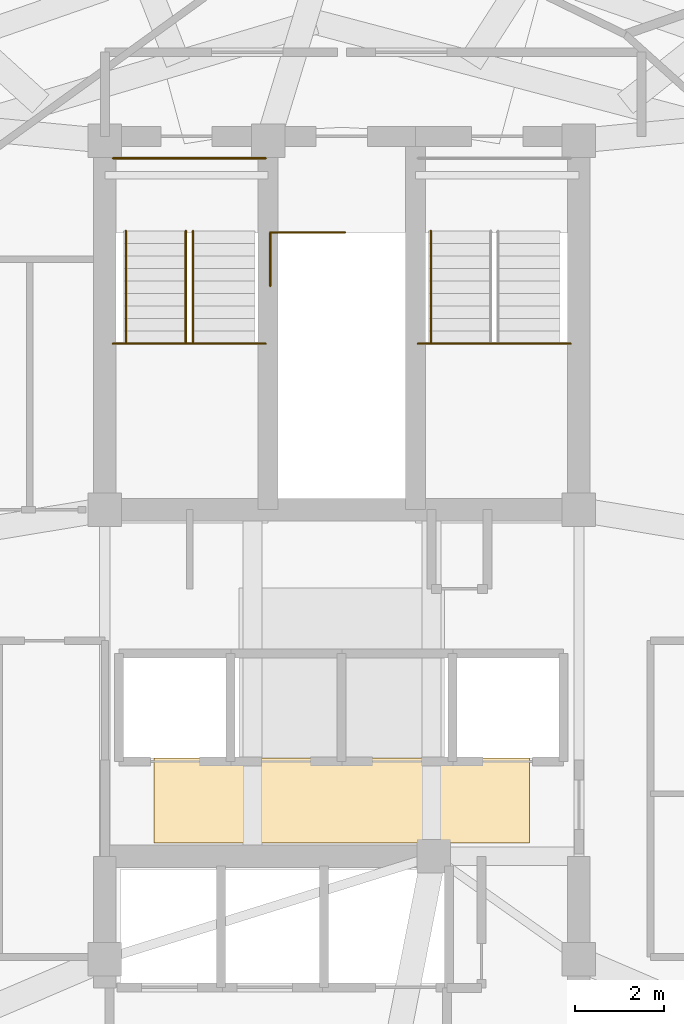
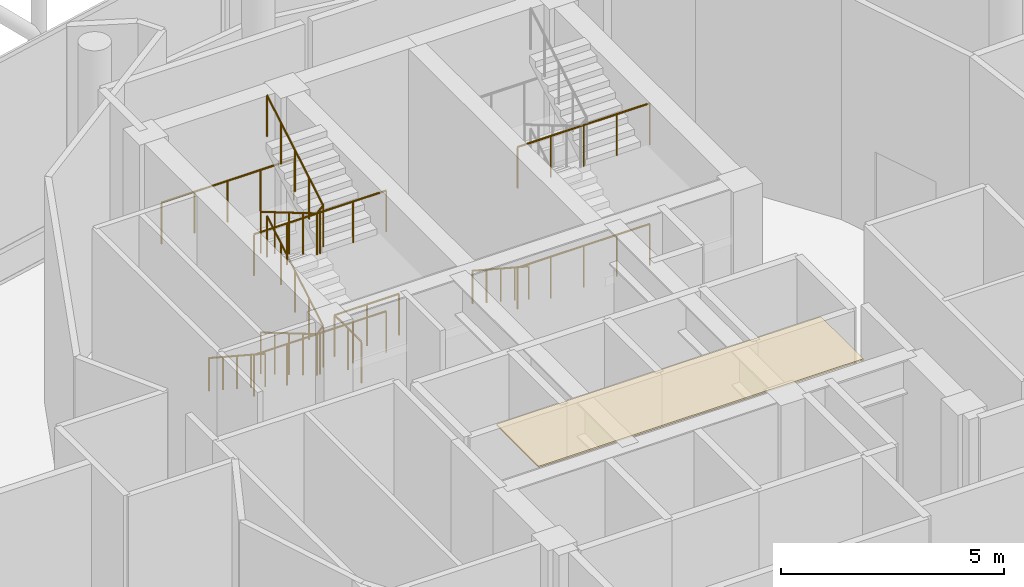
# One storey, part 25 of 26: 10 railings, 1 covering.
"""IFC4 building model written with IfcOpenShell, lengths in metres."""

from ifc_helpers import new_model, si_unit, direction, frame, origin, place, context, subcontext, project, spatial, polyline, outline, extrude, material, layer, layer_set, type_object, element, save


model = new_model("IFC4")

# Units and contexts
model_context = context("Model", 3, precision=1e-05, world=origin(), true_north=direction((0.0, 1.0)))
body_context = subcontext(model_context, "Body", "Model", "MODEL_VIEW")
ifc_project = project(units=[si_unit("LENGTHUNIT", "METRE"), si_unit("AREAUNIT", "SQUARE_METRE"), si_unit("VOLUMEUNIT", "CUBIC_METRE"), si_unit("PLANEANGLEUNIT", "RADIAN"), si_unit("MASSUNIT", "GRAM", prefix="KILO")], contexts=[model_context])

# Site, building, storey
site_placement = place(None, origin())
site = spatial("IfcSite", under=ifc_project, at=site_placement, CompositionType="ELEMENT")
building_placement = place(site_placement, origin())
building = spatial("IfcBuilding", under=site, at=building_placement, Name="Nuhasar Tower", CompositionType="ELEMENT")
storey_placement = place(building_placement, frame((0.0, 0.0, 306.800048828125)))
storey = spatial("IfcBuildingStorey", under=building, at=storey_placement, Name="L76", CompositionType="ELEMENT", Elevation=306.800048828125)

# Covering
ifc_material_1 = material(Name="Mineral Fibre Acoustic", Category="insulation")
ifc_layer = layer(ifc_material_1, 0.0400390625)
ifc_layer_set = layer_set([ifc_layer], Name="Mineral Fibre Acoustic")
covering_type = type_object("IfcCoveringType", Name="COV-CEIL-AC60", PredefinedType="CEILING", material=ifc_layer_set)
covering_placement = place(storey_placement, frame((0.0, 0.0, 6.139892578125)))
element("IfcCovering", 1, at=covering_placement, inside=storey, type_object=covering_type, Name="L76 Lift Lobby Acoustic Ceiling", PredefinedType="CEILING", context=body_context, shape_type="SweptSolid", body=[
    extrude(outline(polyline([(34.800048828125, 21.60009765625), (43.199951171875, 21.60009765625), (43.199951171875, 23.5), (34.800048828125, 23.5), (34.800048828125, 21.60009765625)])), origin(), (0.0, 0.0, 1.0), 0.0400390625),
])

# Railings
ifc_material_2 = material(Name="Steel S355", Category="steel")
railing_type_1 = type_object("IfcRailingType", Name="RLG-STAIR-GUARD-1150", PredefinedType="GUARDRAIL", material=ifc_material_2)
railing_1_placement = place(storey_placement, frame((33.8798828125, 32.764892578125, 1.64990234375)))
element("IfcRailing", 2, at=railing_1_placement, inside=storey, type_object=railing_type_1, Name="L76 Stair ST-01 Guardrail LNDS1", PredefinedType="GUARDRAIL", context=body_context, shape_type="SweptSolid", body=[
    extrude(outline(polyline([(0.024169921875, 0.0), (0.01708984375, 0.01708984375), (0.0, 0.024169921875), (-0.01708984375, 0.01708984375), (-0.024169921875, 0.0), (-0.01708984375, -0.01708984375), (0.0, -0.024169921875), (0.01708984375, -0.01708984375), (0.024169921875, 0.0)])), frame((0.0, 0.0, 1.1259765625), z_axis=(1.0, 0.0, 0.0), x_axis=(0.0, 1.0, 0.0)), (0.0, 0.0, 1.0), 3.420166015625),
    extrude(outline(polyline([(0.02099609375, 0.0), (0.014892578125, 0.014892578125), (0.0, 0.02099609375), (-0.014892578125, 0.014892578125), (-0.02099609375, 0.0), (-0.014892578125, -0.014892578125), (0.0, -0.02099609375), (0.014892578125, -0.014892578125), (0.02099609375, 0.0)])), origin(), (0.0, 0.0, 1.0), 1.101806640625),
    extrude(outline(polyline([(0.02099609375, 0.0), (0.014892578125, 0.014892578125), (0.0, 0.02099609375), (-0.014892578125, 0.014892578125), (-0.02099609375, 0.0), (-0.014892578125, -0.014892578125), (0.0, -0.02099609375), (0.014892578125, -0.014892578125), (0.02099609375, 0.0)])), frame((0.85498046875, 0.0, 0.0)), (0.0, 0.0, 1.0), 1.101806640625),
    extrude(outline(polyline([(0.02099609375, 0.0), (0.014892578125, 0.014892578125), (0.0, 0.02099609375), (-0.014892578125, 0.014892578125), (-0.02099609375, 0.0), (-0.014892578125, -0.014892578125), (0.0, -0.02099609375), (0.014892578125, -0.014892578125), (0.02099609375, 0.0)])), frame((1.7099609375, 0.0, 0.0)), (0.0, 0.0, 1.0), 1.101806640625),
    extrude(outline(polyline([(0.02099609375, 0.0), (0.014892578125, 0.014892578125), (0.0, 0.02099609375), (-0.014892578125, 0.014892578125), (-0.02099609375, 0.0), (-0.014892578125, -0.014892578125), (0.0, -0.02099609375), (0.014892578125, -0.014892578125), (0.02099609375, 0.0)])), frame((2.565185546875, 0.0, 0.0)), (0.0, 0.0, 1.0), 1.101806640625),
    extrude(outline(polyline([(0.02099609375, 0.0), (0.014892578125, 0.014892578125), (0.0, 0.02099609375), (-0.014892578125, 0.014892578125), (-0.02099609375, 0.0), (-0.014892578125, -0.014892578125), (0.0, -0.02099609375), (0.014892578125, -0.014892578125), (0.02099609375, 0.0)])), frame((3.420166015625, 0.0, 0.0)), (0.0, 0.0, 1.0), 1.101806640625),
])
railing_2_placement = place(storey_placement, frame((35.510009765625, 35.284912109375, 0.1650390625)))
element("IfcRailing", 3, at=railing_2_placement, inside=storey, type_object=railing_type_1, Name="L76 Stair ST-01 Guardrail SLT1", PredefinedType="GUARDRAIL", context=body_context, shape_type="SweptSolid", body=[
    extrude(outline(polyline([(0.024169921875, 0.0), (0.01708984375, 0.01708984375), (0.0, 0.024169921875), (-0.01708984375, 0.01708984375), (-0.024169921875, 0.0), (-0.01708984375, -0.01708984375), (0.0, -0.024169921875), (0.01708984375, -0.01708984375), (0.024169921875, 0.0)])), frame((0.0, 0.0, 1.1259765625), z_axis=(0.0, -0.861560626758, 0.507654692109), x_axis=(1.0, 0.0, 0.0)), (0.0, 0.0, 1.0), 2.925048828125),
    extrude(outline(polyline([(0.024169921875, 0.0), (0.01708984375, 0.01708984375), (0.0, 0.024169921875), (-0.01708984375, 0.01708984375), (-0.024169921875, 0.0), (-0.01708984375, -0.01708984375), (0.0, -0.024169921875), (0.01708984375, -0.01708984375), (0.024169921875, 0.0)])), frame((0.0, -2.52001953125, 2.61083984375), z_axis=(0.695863719252, 0.0, 0.718173853763), x_axis=(0.0, 1.0, 0.0)), (0.0, 0.0, 1.0), 0.229736328125),
    extrude(outline(polyline([(0.024169921875, 0.0), (0.01708984375, 0.01708984375), (0.0, 0.024169921875), (-0.01708984375, 0.01708984375), (-0.024169921875, 0.0), (-0.01708984375, -0.01708984375), (0.0, -0.024169921875), (0.01708984375, -0.01708984375), (0.024169921875, 0.0)])), frame((0.159912109375, -2.52001953125, 2.77587890625), z_axis=(0.0, 0.86152411907, 0.507716645641), x_axis=(-1.0, 0.0, 0.0)), (0.0, 0.0, 1.0), 2.925048828125),
    extrude(outline(polyline([(0.02099609375, 0.0), (0.014892578125, 0.014892578125), (0.0, 0.02099609375), (-0.014892578125, 0.014892578125), (-0.02099609375, 0.0), (-0.014892578125, -0.014892578125), (0.0, -0.02099609375), (0.014892578125, -0.014892578125), (0.02099609375, 0.0)])), origin(), (0.0, 0.0, 1.0), 1.101806640625),
    extrude(outline(polyline([(0.02099609375, 0.0), (0.014892578125, 0.014892578125), (0.0, 0.02099609375), (-0.014892578125, 0.014892578125), (-0.02099609375, 0.0), (-0.014892578125, -0.014892578125), (0.0, -0.02099609375), (0.014892578125, -0.014892578125), (0.02099609375, 0.0)])), frame((0.0, -0.6298828125, 0.37109375)), (0.0, 0.0, 1.0), 1.101806640625),
    extrude(outline(polyline([(0.02099609375, 0.0), (0.014892578125, 0.014892578125), (0.0, 0.02099609375), (-0.014892578125, 0.014892578125), (-0.02099609375, 0.0), (-0.014892578125, -0.014892578125), (0.0, -0.02099609375), (0.014892578125, -0.014892578125), (0.02099609375, 0.0)])), frame((0.0, -1.260009765625, 0.742431640625)), (0.0, 0.0, 1.0), 1.101806640625),
    extrude(outline(polyline([(0.02099609375, 0.0), (0.014892578125, 0.014892578125), (0.0, 0.02099609375), (-0.014892578125, 0.014892578125), (-0.02099609375, 0.0), (-0.014892578125, -0.014892578125), (0.0, -0.02099609375), (0.014892578125, -0.014892578125), (0.02099609375, 0.0)])), frame((0.0, -1.89013671875, 1.11376953125)), (0.0, 0.0, 1.0), 1.101806640625),
    extrude(outline(polyline([(0.02099609375, 0.0), (0.014892578125, 0.014892578125), (0.0, 0.02099609375), (-0.014892578125, 0.014892578125), (-0.02099609375, 0.0), (-0.014892578125, -0.014892578125), (0.0, -0.02099609375), (0.014892578125, -0.014892578125), (0.02099609375, 0.0)])), frame((0.0, -2.52001953125, 1.48486328125)), (0.0, 0.0, 1.0), 1.101806640625),
    extrude(outline(polyline([(0.02099609375, 0.0), (0.014892578125, 0.014892578125), (0.0, 0.02099609375), (-0.014892578125, 0.014892578125), (-0.02099609375, 0.0), (-0.014892578125, -0.014892578125), (0.0, -0.02099609375), (0.014892578125, -0.014892578125), (0.02099609375, 0.0)])), frame((0.159912109375, -2.52001953125, 1.64990234375)), (0.0, 0.0, 1.0), 1.101806640625),
    extrude(outline(polyline([(0.02099609375, 0.0), (0.014892578125, 0.014892578125), (0.0, 0.02099609375), (-0.014892578125, 0.014892578125), (-0.02099609375, 0.0), (-0.014892578125, -0.014892578125), (0.0, -0.02099609375), (0.014892578125, -0.014892578125), (0.02099609375, 0.0)])), frame((0.159912109375, -1.89013671875, 2.021240234375)), (0.0, 0.0, 1.0), 1.101806640625),
    extrude(outline(polyline([(0.02099609375, 0.0), (0.014892578125, 0.014892578125), (0.0, 0.02099609375), (-0.014892578125, 0.014892578125), (-0.02099609375, 0.0), (-0.014892578125, -0.014892578125), (0.0, -0.02099609375), (0.014892578125, -0.014892578125), (0.02099609375, 0.0)])), frame((0.159912109375, -1.260009765625, 2.392578125)), (0.0, 0.0, 1.0), 1.101806640625),
    extrude(outline(polyline([(0.02099609375, 0.0), (0.014892578125, 0.014892578125), (0.0, 0.02099609375), (-0.014892578125, 0.014892578125), (-0.02099609375, 0.0), (-0.014892578125, -0.014892578125), (0.0, -0.02099609375), (0.014892578125, -0.014892578125), (0.02099609375, 0.0)])), frame((0.159912109375, -0.6298828125, 2.763671875)), (0.0, 0.0, 1.0), 1.101806640625),
    extrude(outline(polyline([(0.02099609375, 0.0), (0.014892578125, 0.014892578125), (0.0, 0.02099609375), (-0.014892578125, 0.014892578125), (-0.02099609375, 0.0), (-0.014892578125, -0.014892578125), (0.0, -0.02099609375), (0.014892578125, -0.014892578125), (0.02099609375, 0.0)])), frame((0.159912109375, 0.0, 3.135009765625)), (0.0, 0.0, 1.0), 1.101806640625),
])
railing_3_placement = place(storey_placement, frame((33.8798828125, 36.909912109375, 3.300048828125)))
element("IfcRailing", 4, at=railing_3_placement, inside=storey, type_object=railing_type_1, Name="L76 Stair ST-01 Guardrail LNDN1", PredefinedType="GUARDRAIL", context=body_context, shape_type="SweptSolid", body=[
    extrude(outline(polyline([(0.024169921875, 0.0), (0.01708984375, 0.01708984375), (0.0, 0.024169921875), (-0.01708984375, 0.01708984375), (-0.024169921875, 0.0), (-0.01708984375, -0.01708984375), (0.0, -0.024169921875), (0.01708984375, -0.01708984375), (0.024169921875, 0.0)])), frame((0.0, 0.0, 1.1259765625), z_axis=(1.0, 0.0, 0.0), x_axis=(0.0, 1.0, 0.0)), (0.0, 0.0, 1.0), 3.420166015625),
    extrude(outline(polyline([(0.02099609375, 0.0), (0.014892578125, 0.014892578125), (0.0, 0.02099609375), (-0.014892578125, 0.014892578125), (-0.02099609375, 0.0), (-0.014892578125, -0.014892578125), (0.0, -0.02099609375), (0.014892578125, -0.014892578125), (0.02099609375, 0.0)])), origin(), (0.0, 0.0, 1.0), 1.101806640625),
    extrude(outline(polyline([(0.02099609375, 0.0), (0.014892578125, 0.014892578125), (0.0, 0.02099609375), (-0.014892578125, 0.014892578125), (-0.02099609375, 0.0), (-0.014892578125, -0.014892578125), (0.0, -0.02099609375), (0.014892578125, -0.014892578125), (0.02099609375, 0.0)])), frame((0.85498046875, 0.0, 0.0)), (0.0, 0.0, 1.0), 1.101806640625),
    extrude(outline(polyline([(0.02099609375, 0.0), (0.014892578125, 0.014892578125), (0.0, 0.02099609375), (-0.014892578125, 0.014892578125), (-0.02099609375, 0.0), (-0.014892578125, -0.014892578125), (0.0, -0.02099609375), (0.014892578125, -0.014892578125), (0.02099609375, 0.0)])), frame((1.7099609375, 0.0, 0.0)), (0.0, 0.0, 1.0), 1.101806640625),
    extrude(outline(polyline([(0.02099609375, 0.0), (0.014892578125, 0.014892578125), (0.0, 0.02099609375), (-0.014892578125, 0.014892578125), (-0.02099609375, 0.0), (-0.014892578125, -0.014892578125), (0.0, -0.02099609375), (0.014892578125, -0.014892578125), (0.02099609375, 0.0)])), frame((2.565185546875, 0.0, 0.0)), (0.0, 0.0, 1.0), 1.101806640625),
    extrude(outline(polyline([(0.02099609375, 0.0), (0.014892578125, 0.014892578125), (0.0, 0.02099609375), (-0.014892578125, 0.014892578125), (-0.02099609375, 0.0), (-0.014892578125, -0.014892578125), (0.0, -0.02099609375), (0.014892578125, -0.014892578125), (0.02099609375, 0.0)])), frame((3.420166015625, 0.0, 0.0)), (0.0, 0.0, 1.0), 1.101806640625),
])
railing_4_placement = place(storey_placement, frame((33.8798828125, 32.764892578125, 4.949951171875)))
element("IfcRailing", 5, at=railing_4_placement, inside=storey, type_object=railing_type_1, Name="L76 Stair ST-01 Guardrail LNDS2", PredefinedType="GUARDRAIL", context=body_context, shape_type="SweptSolid", body=[
    extrude(outline(polyline([(0.024169921875, 0.0), (0.01708984375, 0.01708984375), (0.0, 0.024169921875), (-0.01708984375, 0.01708984375), (-0.024169921875, 0.0), (-0.01708984375, -0.01708984375), (0.0, -0.024169921875), (0.01708984375, -0.01708984375), (0.024169921875, 0.0)])), frame((0.0, 0.0, 1.1259765625), z_axis=(1.0, 0.0, 0.0), x_axis=(0.0, 1.0, 0.0)), (0.0, 0.0, 1.0), 3.420166015625),
    extrude(outline(polyline([(0.02099609375, 0.0), (0.014892578125, 0.014892578125), (0.0, 0.02099609375), (-0.014892578125, 0.014892578125), (-0.02099609375, 0.0), (-0.014892578125, -0.014892578125), (0.0, -0.02099609375), (0.014892578125, -0.014892578125), (0.02099609375, 0.0)])), origin(), (0.0, 0.0, 1.0), 1.101806640625),
    extrude(outline(polyline([(0.02099609375, 0.0), (0.014892578125, 0.014892578125), (0.0, 0.02099609375), (-0.014892578125, 0.014892578125), (-0.02099609375, 0.0), (-0.014892578125, -0.014892578125), (0.0, -0.02099609375), (0.014892578125, -0.014892578125), (0.02099609375, 0.0)])), frame((0.85498046875, 0.0, 0.0)), (0.0, 0.0, 1.0), 1.101806640625),
    extrude(outline(polyline([(0.02099609375, 0.0), (0.014892578125, 0.014892578125), (0.0, 0.02099609375), (-0.014892578125, 0.014892578125), (-0.02099609375, 0.0), (-0.014892578125, -0.014892578125), (0.0, -0.02099609375), (0.014892578125, -0.014892578125), (0.02099609375, 0.0)])), frame((1.7099609375, 0.0, 0.0)), (0.0, 0.0, 1.0), 1.101806640625),
    extrude(outline(polyline([(0.02099609375, 0.0), (0.014892578125, 0.014892578125), (0.0, 0.02099609375), (-0.014892578125, 0.014892578125), (-0.02099609375, 0.0), (-0.014892578125, -0.014892578125), (0.0, -0.02099609375), (0.014892578125, -0.014892578125), (0.02099609375, 0.0)])), frame((2.565185546875, 0.0, 0.0)), (0.0, 0.0, 1.0), 1.101806640625),
    extrude(outline(polyline([(0.02099609375, 0.0), (0.014892578125, 0.014892578125), (0.0, 0.02099609375), (-0.014892578125, 0.014892578125), (-0.02099609375, 0.0), (-0.014892578125, -0.014892578125), (0.0, -0.02099609375), (0.014892578125, -0.014892578125), (0.02099609375, 0.0)])), frame((3.420166015625, 0.0, 0.0)), (0.0, 0.0, 1.0), 1.101806640625),
])
railing_5_placement = place(storey_placement, frame((35.510009765625, 35.284912109375, 3.46484375)))
element("IfcRailing", 6, at=railing_5_placement, inside=storey, type_object=railing_type_1, Name="L76 Stair ST-01 Guardrail SLT2", PredefinedType="GUARDRAIL", context=body_context, shape_type="SweptSolid", body=[
    extrude(outline(polyline([(0.024169921875, 0.0), (0.01708984375, 0.01708984375), (0.0, 0.024169921875), (-0.01708984375, 0.01708984375), (-0.024169921875, 0.0), (-0.01708984375, -0.01708984375), (0.0, -0.024169921875), (0.01708984375, -0.01708984375), (0.024169921875, 0.0)])), frame((0.0, 0.0, 1.1259765625), z_axis=(0.0, -0.86152411907, 0.507716645641), x_axis=(1.0, 0.0, 0.0)), (0.0, 0.0, 1.0), 2.925048828125),
    extrude(outline(polyline([(0.024169921875, 0.0), (0.01708984375, 0.01708984375), (0.0, 0.024169921875), (-0.01708984375, 0.01708984375), (-0.024169921875, 0.0), (-0.01708984375, -0.01708984375), (0.0, -0.024169921875), (0.01708984375, -0.01708984375), (0.024169921875, 0.0)])), frame((0.0, -2.52001953125, 2.61083984375), z_axis=(0.695863719252, 0.0, 0.718173853763), x_axis=(0.0, 1.0, 0.0)), (0.0, 0.0, 1.0), 0.229736328125),
    extrude(outline(polyline([(0.024169921875, 0.0), (0.01708984375, 0.01708984375), (0.0, 0.024169921875), (-0.01708984375, 0.01708984375), (-0.024169921875, 0.0), (-0.01708984375, -0.01708984375), (0.0, -0.024169921875), (0.01708984375, -0.01708984375), (0.024169921875, 0.0)])), frame((0.159912109375, -2.52001953125, 2.77587890625), z_axis=(0.0, 0.861560626758, 0.507654692109), x_axis=(-1.0, 0.0, 0.0)), (0.0, 0.0, 1.0), 2.925048828125),
    extrude(outline(polyline([(0.02099609375, 0.0), (0.014892578125, 0.014892578125), (0.0, 0.02099609375), (-0.014892578125, 0.014892578125), (-0.02099609375, 0.0), (-0.014892578125, -0.014892578125), (0.0, -0.02099609375), (0.014892578125, -0.014892578125), (0.02099609375, 0.0)])), origin(), (0.0, 0.0, 1.0), 1.101806640625),
    extrude(outline(polyline([(0.02099609375, 0.0), (0.014892578125, 0.014892578125), (0.0, 0.02099609375), (-0.014892578125, 0.014892578125), (-0.02099609375, 0.0), (-0.014892578125, -0.014892578125), (0.0, -0.02099609375), (0.014892578125, -0.014892578125), (0.02099609375, 0.0)])), frame((0.0, -0.6298828125, 0.371337890625)), (0.0, 0.0, 1.0), 1.101806640625),
    extrude(outline(polyline([(0.02099609375, 0.0), (0.014892578125, 0.014892578125), (0.0, 0.02099609375), (-0.014892578125, 0.014892578125), (-0.02099609375, 0.0), (-0.014892578125, -0.014892578125), (0.0, -0.02099609375), (0.014892578125, -0.014892578125), (0.02099609375, 0.0)])), frame((0.0, -1.260009765625, 0.74267578125)), (0.0, 0.0, 1.0), 1.101806640625),
    extrude(outline(polyline([(0.02099609375, 0.0), (0.014892578125, 0.014892578125), (0.0, 0.02099609375), (-0.014892578125, 0.014892578125), (-0.02099609375, 0.0), (-0.014892578125, -0.014892578125), (0.0, -0.02099609375), (0.014892578125, -0.014892578125), (0.02099609375, 0.0)])), frame((0.0, -1.89013671875, 1.11376953125)), (0.0, 0.0, 1.0), 1.101806640625),
    extrude(outline(polyline([(0.02099609375, 0.0), (0.014892578125, 0.014892578125), (0.0, 0.02099609375), (-0.014892578125, 0.014892578125), (-0.02099609375, 0.0), (-0.014892578125, -0.014892578125), (0.0, -0.02099609375), (0.014892578125, -0.014892578125), (0.02099609375, 0.0)])), frame((0.0, -2.52001953125, 1.485107421875)), (0.0, 0.0, 1.0), 1.101806640625),
    extrude(outline(polyline([(0.02099609375, 0.0), (0.014892578125, 0.014892578125), (0.0, 0.02099609375), (-0.014892578125, 0.014892578125), (-0.02099609375, 0.0), (-0.014892578125, -0.014892578125), (0.0, -0.02099609375), (0.014892578125, -0.014892578125), (0.02099609375, 0.0)])), frame((0.159912109375, -2.52001953125, 1.650146484375)), (0.0, 0.0, 1.0), 1.101806640625),
    extrude(outline(polyline([(0.02099609375, 0.0), (0.014892578125, 0.014892578125), (0.0, 0.02099609375), (-0.014892578125, 0.014892578125), (-0.02099609375, 0.0), (-0.014892578125, -0.014892578125), (0.0, -0.02099609375), (0.014892578125, -0.014892578125), (0.02099609375, 0.0)])), frame((0.159912109375, -1.89013671875, 2.021484375)), (0.0, 0.0, 1.0), 1.101806640625),
    extrude(outline(polyline([(0.02099609375, 0.0), (0.014892578125, 0.014892578125), (0.0, 0.02099609375), (-0.014892578125, 0.014892578125), (-0.02099609375, 0.0), (-0.014892578125, -0.014892578125), (0.0, -0.02099609375), (0.014892578125, -0.014892578125), (0.02099609375, 0.0)])), frame((0.159912109375, -1.260009765625, 2.392578125)), (0.0, 0.0, 1.0), 1.101806640625),
    extrude(outline(polyline([(0.02099609375, 0.0), (0.014892578125, 0.014892578125), (0.0, 0.02099609375), (-0.014892578125, 0.014892578125), (-0.02099609375, 0.0), (-0.014892578125, -0.014892578125), (0.0, -0.02099609375), (0.014892578125, -0.014892578125), (0.02099609375, 0.0)])), frame((0.159912109375, -0.6298828125, 2.763671875)), (0.0, 0.0, 1.0), 1.101806640625),
    extrude(outline(polyline([(0.02099609375, 0.0), (0.014892578125, 0.014892578125), (0.0, 0.02099609375), (-0.014892578125, 0.014892578125), (-0.02099609375, 0.0), (-0.014892578125, -0.014892578125), (0.0, -0.02099609375), (0.014892578125, -0.014892578125), (0.02099609375, 0.0)])), frame((0.159912109375, 0.0, 3.135009765625)), (0.0, 0.0, 1.0), 1.101806640625),
])
railing_6_placement = place(storey_placement, frame((37.39990234375, 34.050048828125, 0.0)))
element("IfcRailing", 7, at=railing_6_placement, inside=storey, type_object=railing_type_1, Name="L76 Stair ST-03 Top Well Guardrail", PredefinedType="GUARDRAIL", context=body_context, shape_type="SweptSolid", body=[
    extrude(outline(polyline([(0.024169921875, 0.0), (0.01708984375, 0.01708984375), (0.0, 0.024169921875), (-0.01708984375, 0.01708984375), (-0.024169921875, 0.0), (-0.01708984375, -0.01708984375), (0.0, -0.024169921875), (0.01708984375, -0.01708984375), (0.024169921875, 0.0)])), frame((0.0, 0.0, 1.1259765625), z_axis=(0.0, 1.0, 0.0), x_axis=(-1.0, 0.0, 0.0)), (0.0, 0.0, 1.0), 1.199951171875),
    extrude(outline(polyline([(0.024169921875, 0.0), (0.01708984375, 0.01708984375), (0.0, 0.024169921875), (-0.01708984375, 0.01708984375), (-0.024169921875, 0.0), (-0.01708984375, -0.01708984375), (0.0, -0.024169921875), (0.01708984375, -0.01708984375), (0.024169921875, 0.0)])), frame((0.0, 1.199951171875, 1.1259765625), z_axis=(1.0, 0.0, 0.0), x_axis=(0.0, 1.0, 0.0)), (0.0, 0.0, 1.0), 1.670166015625),
    extrude(outline(polyline([(0.02099609375, 0.0), (0.014892578125, 0.014892578125), (0.0, 0.02099609375), (-0.014892578125, 0.014892578125), (-0.02099609375, 0.0), (-0.014892578125, -0.014892578125), (0.0, -0.02099609375), (0.014892578125, -0.014892578125), (0.02099609375, 0.0)])), origin(), (0.0, 0.0, 1.0), 1.101806640625),
    extrude(outline(polyline([(0.02099609375, 0.0), (0.014892578125, 0.014892578125), (0.0, 0.02099609375), (-0.014892578125, 0.014892578125), (-0.02099609375, 0.0), (-0.014892578125, -0.014892578125), (0.0, -0.02099609375), (0.014892578125, -0.014892578125), (0.02099609375, 0.0)])), frame((0.0, 0.60009765625, 0.0)), (0.0, 0.0, 1.0), 1.101806640625),
    extrude(outline(polyline([(0.02099609375, 0.0), (0.014892578125, 0.014892578125), (0.0, 0.02099609375), (-0.014892578125, 0.014892578125), (-0.02099609375, 0.0), (-0.014892578125, -0.014892578125), (0.0, -0.02099609375), (0.014892578125, -0.014892578125), (0.02099609375, 0.0)])), frame((0.0, 1.199951171875, 0.0)), (0.0, 0.0, 1.0), 1.101806640625),
    extrude(outline(polyline([(0.02099609375, 0.0), (0.014892578125, 0.014892578125), (0.0, 0.02099609375), (-0.014892578125, 0.014892578125), (-0.02099609375, 0.0), (-0.014892578125, -0.014892578125), (0.0, -0.02099609375), (0.014892578125, -0.014892578125), (0.02099609375, 0.0)])), frame((0.8349609375, 1.199951171875, 0.0)), (0.0, 0.0, 1.0), 1.101806640625),
    extrude(outline(polyline([(0.02099609375, 0.0), (0.014892578125, 0.014892578125), (0.0, 0.02099609375), (-0.014892578125, 0.014892578125), (-0.02099609375, 0.0), (-0.014892578125, -0.014892578125), (0.0, -0.02099609375), (0.014892578125, -0.014892578125), (0.02099609375, 0.0)])), frame((1.670166015625, 1.199951171875, 0.0)), (0.0, 0.0, 1.0), 1.101806640625),
])
railing_7_placement = place(storey_placement, frame((40.699951171875, 32.764892578125, 1.64990234375)))
element("IfcRailing", 8, at=railing_7_placement, inside=storey, type_object=railing_type_1, Name="L76 Stair ST-02 Guardrail LNDS1", PredefinedType="GUARDRAIL", context=body_context, shape_type="SweptSolid", body=[
    extrude(outline(polyline([(0.024169921875, 0.0), (0.01708984375, 0.01708984375), (0.0, 0.024169921875), (-0.01708984375, 0.01708984375), (-0.024169921875, 0.0), (-0.01708984375, -0.01708984375), (0.0, -0.024169921875), (0.01708984375, -0.01708984375), (0.024169921875, 0.0)])), frame((0.0, 0.0, 1.1259765625), z_axis=(1.0, 0.0, 0.0), x_axis=(0.0, 1.0, 0.0)), (0.0, 0.0, 1.0), 3.420166015625),
    extrude(outline(polyline([(0.02099609375, 0.0), (0.014892578125, 0.014892578125), (0.0, 0.02099609375), (-0.014892578125, 0.014892578125), (-0.02099609375, 0.0), (-0.014892578125, -0.014892578125), (0.0, -0.02099609375), (0.014892578125, -0.014892578125), (0.02099609375, 0.0)])), origin(), (0.0, 0.0, 1.0), 1.101806640625),
    extrude(outline(polyline([(0.02099609375, 0.0), (0.014892578125, 0.014892578125), (0.0, 0.02099609375), (-0.014892578125, 0.014892578125), (-0.02099609375, 0.0), (-0.014892578125, -0.014892578125), (0.0, -0.02099609375), (0.014892578125, -0.014892578125), (0.02099609375, 0.0)])), frame((0.85498046875, 0.0, 0.0)), (0.0, 0.0, 1.0), 1.101806640625),
    extrude(outline(polyline([(0.02099609375, 0.0), (0.014892578125, 0.014892578125), (0.0, 0.02099609375), (-0.014892578125, 0.014892578125), (-0.02099609375, 0.0), (-0.014892578125, -0.014892578125), (0.0, -0.02099609375), (0.014892578125, -0.014892578125), (0.02099609375, 0.0)])), frame((1.7099609375, 0.0, 0.0)), (0.0, 0.0, 1.0), 1.101806640625),
    extrude(outline(polyline([(0.02099609375, 0.0), (0.014892578125, 0.014892578125), (0.0, 0.02099609375), (-0.014892578125, 0.014892578125), (-0.02099609375, 0.0), (-0.014892578125, -0.014892578125), (0.0, -0.02099609375), (0.014892578125, -0.014892578125), (0.02099609375, 0.0)])), frame((2.565185546875, 0.0, 0.0)), (0.0, 0.0, 1.0), 1.101806640625),
    extrude(outline(polyline([(0.02099609375, 0.0), (0.014892578125, 0.014892578125), (0.0, 0.02099609375), (-0.014892578125, 0.014892578125), (-0.02099609375, 0.0), (-0.014892578125, -0.014892578125), (0.0, -0.02099609375), (0.014892578125, -0.014892578125), (0.02099609375, 0.0)])), frame((3.420166015625, 0.0, 0.0)), (0.0, 0.0, 1.0), 1.101806640625),
])
railing_8_placement = place(storey_placement, frame((40.699951171875, 32.764892578125, 4.949951171875)))
element("IfcRailing", 9, at=railing_8_placement, inside=storey, type_object=railing_type_1, Name="L76 Stair ST-02 Guardrail LNDS2", PredefinedType="GUARDRAIL", context=body_context, shape_type="SweptSolid", body=[
    extrude(outline(polyline([(0.024169921875, 0.0), (0.01708984375, 0.01708984375), (0.0, 0.024169921875), (-0.01708984375, 0.01708984375), (-0.024169921875, 0.0), (-0.01708984375, -0.01708984375), (0.0, -0.024169921875), (0.01708984375, -0.01708984375), (0.024169921875, 0.0)])), frame((0.0, 0.0, 1.1259765625), z_axis=(1.0, 0.0, 0.0), x_axis=(0.0, 1.0, 0.0)), (0.0, 0.0, 1.0), 3.420166015625),
    extrude(outline(polyline([(0.02099609375, 0.0), (0.014892578125, 0.014892578125), (0.0, 0.02099609375), (-0.014892578125, 0.014892578125), (-0.02099609375, 0.0), (-0.014892578125, -0.014892578125), (0.0, -0.02099609375), (0.014892578125, -0.014892578125), (0.02099609375, 0.0)])), origin(), (0.0, 0.0, 1.0), 1.101806640625),
    extrude(outline(polyline([(0.02099609375, 0.0), (0.014892578125, 0.014892578125), (0.0, 0.02099609375), (-0.014892578125, 0.014892578125), (-0.02099609375, 0.0), (-0.014892578125, -0.014892578125), (0.0, -0.02099609375), (0.014892578125, -0.014892578125), (0.02099609375, 0.0)])), frame((0.85498046875, 0.0, 0.0)), (0.0, 0.0, 1.0), 1.101806640625),
    extrude(outline(polyline([(0.02099609375, 0.0), (0.014892578125, 0.014892578125), (0.0, 0.02099609375), (-0.014892578125, 0.014892578125), (-0.02099609375, 0.0), (-0.014892578125, -0.014892578125), (0.0, -0.02099609375), (0.014892578125, -0.014892578125), (0.02099609375, 0.0)])), frame((1.7099609375, 0.0, 0.0)), (0.0, 0.0, 1.0), 1.101806640625),
    extrude(outline(polyline([(0.02099609375, 0.0), (0.014892578125, 0.014892578125), (0.0, 0.02099609375), (-0.014892578125, 0.014892578125), (-0.02099609375, 0.0), (-0.014892578125, -0.014892578125), (0.0, -0.02099609375), (0.014892578125, -0.014892578125), (0.02099609375, 0.0)])), frame((2.565185546875, 0.0, 0.0)), (0.0, 0.0, 1.0), 1.101806640625),
    extrude(outline(polyline([(0.02099609375, 0.0), (0.014892578125, 0.014892578125), (0.0, 0.02099609375), (-0.014892578125, 0.014892578125), (-0.02099609375, 0.0), (-0.014892578125, -0.014892578125), (0.0, -0.02099609375), (0.014892578125, -0.014892578125), (0.02099609375, 0.0)])), frame((3.420166015625, 0.0, 0.0)), (0.0, 0.0, 1.0), 1.101806640625),
])
ifc_material_3 = material(Name="Stainless Steel 316L", Category="steel")
railing_type_2 = type_object("IfcRailingType", Name="RLG-STAIR-HAND-920", PredefinedType="HANDRAIL", material=ifc_material_3)
railing_9_placement = place(storey_placement, frame((34.169921875, 35.284912109375, 0.1650390625)))
element("IfcRailing", 10, at=railing_9_placement, inside=storey, type_object=railing_type_2, Name="L76 Stair ST-01 Handrail HNDA1", PredefinedType="HANDRAIL", context=body_context, shape_type="SweptSolid", body=[
    extrude(outline(polyline([(0.024169921875, 0.0), (0.01708984375, 0.01708984375), (0.0, 0.024169921875), (-0.01708984375, 0.01708984375), (-0.024169921875, 0.0), (-0.01708984375, -0.01708984375), (0.0, -0.024169921875), (0.01708984375, -0.01708984375), (0.024169921875, 0.0)])), frame((0.0, 0.0, 0.89599609375), z_axis=(0.0, -0.836635332325, 0.547760276677), x_axis=(1.0, 0.0, 0.0)), (0.0, 0.0, 1.0), 3.01220703125),
    extrude(outline(polyline([(0.02099609375, 0.0), (0.014892578125, 0.014892578125), (0.0, 0.02099609375), (-0.014892578125, 0.014892578125), (-0.02099609375, 0.0), (-0.014892578125, -0.014892578125), (0.0, -0.02099609375), (0.014892578125, -0.014892578125), (0.02099609375, 0.0)])), origin(), (0.0, 0.0, 1.0), 0.871826171875),
    extrude(outline(polyline([(0.02099609375, 0.0), (0.014892578125, 0.014892578125), (0.0, 0.02099609375), (-0.014892578125, 0.014892578125), (-0.02099609375, 0.0), (-0.014892578125, -0.014892578125), (0.0, -0.02099609375), (0.014892578125, -0.014892578125), (0.02099609375, 0.0)])), frame((0.0, -0.6298828125, 0.41259765625)), (0.0, 0.0, 1.0), 0.871826171875),
    extrude(outline(polyline([(0.02099609375, 0.0), (0.014892578125, 0.014892578125), (0.0, 0.02099609375), (-0.014892578125, 0.014892578125), (-0.02099609375, 0.0), (-0.014892578125, -0.014892578125), (0.0, -0.02099609375), (0.014892578125, -0.014892578125), (0.02099609375, 0.0)])), frame((0.0, -1.260009765625, 0.824951171875)), (0.0, 0.0, 1.0), 0.871826171875),
    extrude(outline(polyline([(0.02099609375, 0.0), (0.014892578125, 0.014892578125), (0.0, 0.02099609375), (-0.014892578125, 0.014892578125), (-0.02099609375, 0.0), (-0.014892578125, -0.014892578125), (0.0, -0.02099609375), (0.014892578125, -0.014892578125), (0.02099609375, 0.0)])), frame((0.0, -1.89013671875, 1.2373046875)), (0.0, 0.0, 1.0), 0.871826171875),
    extrude(outline(polyline([(0.02099609375, 0.0), (0.014892578125, 0.014892578125), (0.0, 0.02099609375), (-0.014892578125, 0.014892578125), (-0.02099609375, 0.0), (-0.014892578125, -0.014892578125), (0.0, -0.02099609375), (0.014892578125, -0.014892578125), (0.02099609375, 0.0)])), frame((0.0, -2.52001953125, 1.64990234375)), (0.0, 0.0, 1.0), 0.871826171875),
])
railing_10_placement = place(storey_placement, frame((40.989990234375, 35.284912109375, 0.1650390625)))
element("IfcRailing", 11, at=railing_10_placement, inside=storey, type_object=railing_type_2, Name="L76 Stair ST-02 Handrail HNDA1", PredefinedType="HANDRAIL", context=body_context, shape_type="SweptSolid", body=[
    extrude(outline(polyline([(0.024169921875, 0.0), (0.01708984375, 0.01708984375), (0.0, 0.024169921875), (-0.01708984375, 0.01708984375), (-0.024169921875, 0.0), (-0.01708984375, -0.01708984375), (0.0, -0.024169921875), (0.01708984375, -0.01708984375), (0.024169921875, 0.0)])), frame((0.0, 0.0, 0.89599609375), z_axis=(0.0, -0.836635332325, 0.547760276677), x_axis=(1.0, 0.0, 0.0)), (0.0, 0.0, 1.0), 3.01220703125),
    extrude(outline(polyline([(0.02099609375, 0.0), (0.014892578125, 0.014892578125), (0.0, 0.02099609375), (-0.014892578125, 0.014892578125), (-0.02099609375, 0.0), (-0.014892578125, -0.014892578125), (0.0, -0.02099609375), (0.014892578125, -0.014892578125), (0.02099609375, 0.0)])), origin(), (0.0, 0.0, 1.0), 0.871826171875),
    extrude(outline(polyline([(0.02099609375, 0.0), (0.014892578125, 0.014892578125), (0.0, 0.02099609375), (-0.014892578125, 0.014892578125), (-0.02099609375, 0.0), (-0.014892578125, -0.014892578125), (0.0, -0.02099609375), (0.014892578125, -0.014892578125), (0.02099609375, 0.0)])), frame((0.0, -0.6298828125, 0.41259765625)), (0.0, 0.0, 1.0), 0.871826171875),
    extrude(outline(polyline([(0.02099609375, 0.0), (0.014892578125, 0.014892578125), (0.0, 0.02099609375), (-0.014892578125, 0.014892578125), (-0.02099609375, 0.0), (-0.014892578125, -0.014892578125), (0.0, -0.02099609375), (0.014892578125, -0.014892578125), (0.02099609375, 0.0)])), frame((0.0, -1.260009765625, 0.824951171875)), (0.0, 0.0, 1.0), 0.871826171875),
    extrude(outline(polyline([(0.02099609375, 0.0), (0.014892578125, 0.014892578125), (0.0, 0.02099609375), (-0.014892578125, 0.014892578125), (-0.02099609375, 0.0), (-0.014892578125, -0.014892578125), (0.0, -0.02099609375), (0.014892578125, -0.014892578125), (0.02099609375, 0.0)])), frame((0.0, -1.89013671875, 1.2373046875)), (0.0, 0.0, 1.0), 0.871826171875),
    extrude(outline(polyline([(0.02099609375, 0.0), (0.014892578125, 0.014892578125), (0.0, 0.02099609375), (-0.014892578125, 0.014892578125), (-0.02099609375, 0.0), (-0.014892578125, -0.014892578125), (0.0, -0.02099609375), (0.014892578125, -0.014892578125), (0.02099609375, 0.0)])), frame((0.0, -2.52001953125, 1.64990234375)), (0.0, 0.0, 1.0), 0.871826171875),
])

save(model, "model.ifc")
